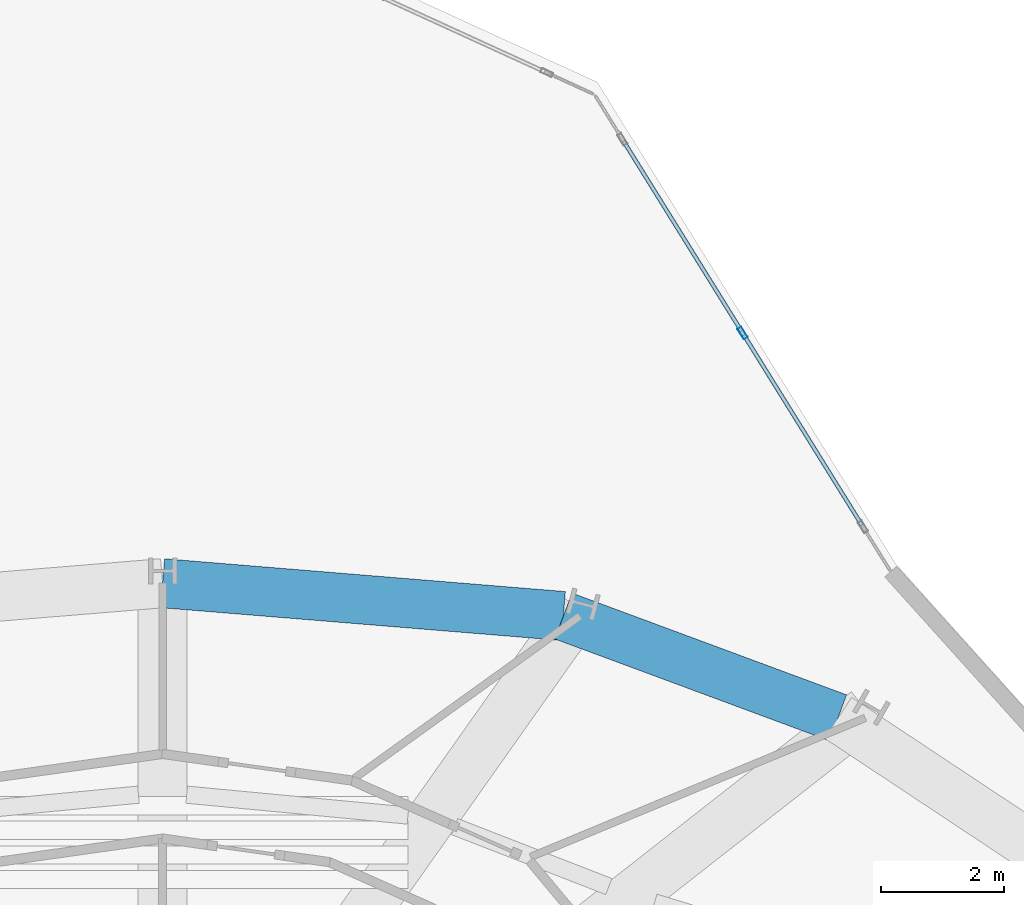
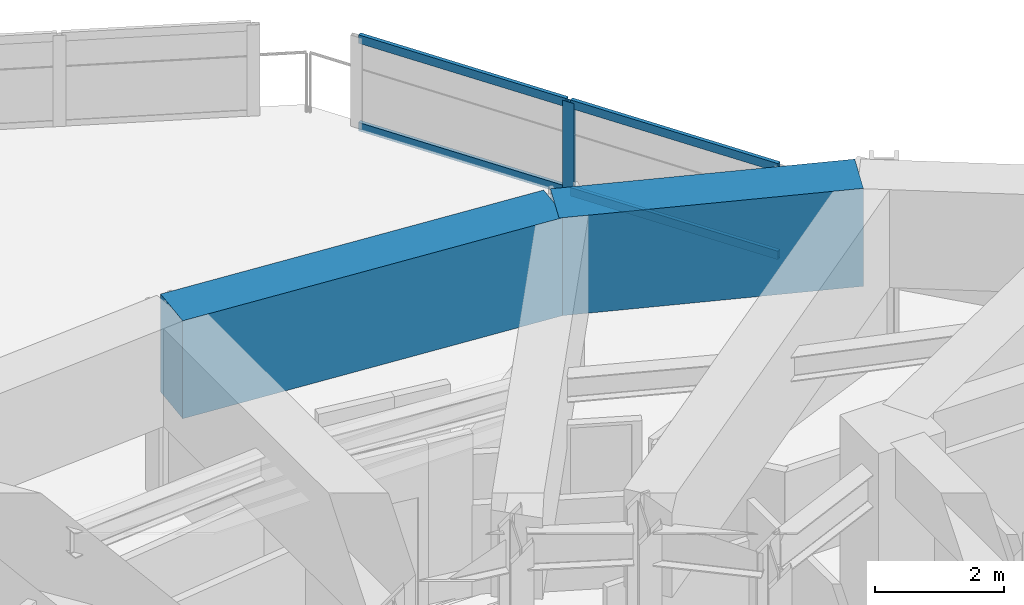
# One storey, part 10 of 21: 5 members, 2 beams, 1 element without a shape of its own.
"""IFC4 building model written with IfcOpenShell, lengths in metres."""

from ifc_helpers import new_model, si_unit, direction, frame, origin, origin_2d, place, context, subcontext, project, spatial, rectangle, hollow_rectangle, extrude, material, layer, layer_set, material_profile, profile_set, type_object, element, aggregate, save


model = new_model("IFC4")

# Units and contexts
model_context = context("Model", 3, precision=1e-05, world=origin(), true_north=direction((0.0, 1.0)))
body_context = subcontext(model_context, "Body", "Model", "MODEL_VIEW")
ifc_project = project(units=[si_unit("LENGTHUNIT", "METRE"), si_unit("AREAUNIT", "SQUARE_METRE"), si_unit("VOLUMEUNIT", "CUBIC_METRE"), si_unit("PLANEANGLEUNIT", "RADIAN"), si_unit("MASSUNIT", "GRAM", prefix="KILO")], contexts=[model_context])

# Site, building, storey
site_placement = place(None, origin())
site = spatial("IfcSite", under=ifc_project, at=site_placement, CompositionType="ELEMENT")
building_placement = place(site_placement, origin())
building = spatial("IfcBuilding", under=site, at=building_placement, Name="Solvane Sanctuary Tower", CompositionType="ELEMENT")
storey_placement = place(building_placement, frame((0.0, 0.0, 256.800048828125)))
storey = spatial("IfcBuildingStorey", under=building, at=storey_placement, Name="L78", CompositionType="ELEMENT", Elevation=256.800048828125)

# Beams
ifc_material_1 = material(Name="Concrete C70/85", Category="concrete")
ifc_material_profile_1 = material_profile(ifc_material_1, rectangle(XDim=0.800048828125, YDim=1.85009765625, at=origin_2d()), Name="RC800X1850")
ifc_profile_set_1 = profile_set([ifc_material_profile_1], Name="Concrete C70/85")
beam_type = type_object("IfcBeamType", Name="Beam B-XFER-BLK RC800X1850", PredefinedType="BEAM", material=ifc_profile_set_1)
beam_1_placement = place(storey_placement, frame((32.0, 38.47998046875, 2.675048828125), z_axis=(0.996668695985, -0.081556792744, 0.0), x_axis=(0.081556792744, 0.996668695985, 0.0)))
element("IfcBeam", 1, at=beam_1_placement, inside=storey, type_object=beam_type, Name="L78 Perimeter Step Transfer Ring NTC04-NTC03", PredefinedType="BEAM", context=body_context, shape_type="SweptSolid", body=[
    extrude(rectangle(XDim=0.800048828125, YDim=1.85009765625, at=origin_2d()), origin(), (0.0, 0.0, 1.0), 6.5556640625),
])
beam_2_placement = place(storey_placement, frame((38.533935546875, 37.9453125, 2.675048828125), z_axis=(0.937660553204, -0.347552423335, 0.0), x_axis=(0.347552423335, 0.937660553204, 0.0)))
element("IfcBeam", 2, at=beam_2_placement, inside=storey, type_object=beam_type, Name="L78 Perimeter Step Transfer Ring NTC03-NTC02", PredefinedType="BEAM", context=body_context, shape_type="SweptSolid", body=[
    extrude(rectangle(XDim=0.800048828125, YDim=1.85009765625, at=origin_2d()), origin(), (0.0, 0.0, 1.0), 4.776123046875),
])

# Curtain wall, members
ifc_material_2 = material(Name="Anodised Aluminium 6063-T6", Category="aluminium")
ifc_layer = layer(ifc_material_2, 0.18994140625, Name="Anodised Aluminium 6063-T6")
ifc_layer_set = layer_set([ifc_layer], Name="Anodised Aluminium 6063-T6")
curtain_wall_type = type_object("IfcCurtainWallType", Name="Curtain Wall CW-OPER", PredefinedType="NOTDEFINED", material=ifc_layer_set)
curtain_wall_placement = place(storey_placement, origin())
curtain_wall = element("IfcCurtainWall", 3, at=curtain_wall_placement, inside=storey, type_object=curtain_wall_type, Name="L78 CW-OPER Facade Run 04", PredefinedType="NOTDEFINED")
ifc_material_profile_2 = material_profile(ifc_material_2, hollow_rectangle(XDim=0.074951171875, YDim=0.199951171875, WallThickness=0.00390625, at=origin_2d()), Name="ALU200X75X4")
ifc_profile_set_2 = profile_set([ifc_material_profile_2], Name="Anodised Aluminium 6063-T6")
member_type_1 = type_object("IfcMemberType", Name="Member M-CW-MUL-1 ALU200X75X4", PredefinedType="MULLION", material=ifc_profile_set_2)
member_1_placement = place(storey_placement, frame((41.45654296875, 42.558349609375, 0.0), z_axis=(0.0, 0.0, 1.0), x_axis=(-0.849622273102, -0.527391688453, 0.0)))
member_1 = element("IfcMember", 4, at=member_1_placement, type_object=member_type_1, Name="CW-OPER mullion 2", PredefinedType="MULLION", context=body_context, shape_type="SweptSolid", body=[
    extrude(hollow_rectangle(XDim=0.074951171875, YDim=0.199951171875, WallThickness=0.00390625, at=origin_2d()), origin(), (0.0, 0.0, 1.0), 1.719970703125),
])
ifc_material_profile_3 = material_profile(ifc_material_2, hollow_rectangle(XDim=0.06494140625, YDim=0.159912109375, WallThickness=0.00341796875, at=origin_2d()), Name="ALU160X65X3.5")
ifc_profile_set_3 = profile_set([ifc_material_profile_3], Name="Anodised Aluminium 6063-T6")
member_type_2 = type_object("IfcMemberType", Name="Member M-CW-TRN-1 ALU160X65X3.5", PredefinedType="USERDEFINED", material=ifc_profile_set_3)
member_2_placement = place(storey_placement, frame((43.39794921875, 39.430419921875, 0.032470703125), z_axis=(-0.527364529612, 0.849639130989, 0.0), x_axis=(-0.849639130989, -0.527364529612, 0.0)))
member_2 = element("IfcMember", 5, at=member_2_placement, type_object=member_type_2, Name="CW-OPER transom 1.1", ObjectType="TRANSOM", PredefinedType="USERDEFINED", context=body_context, shape_type="SweptSolid", body=[
    extrude(hollow_rectangle(XDim=0.06494140625, YDim=0.159912109375, WallThickness=0.00341796875, at=origin_2d()), origin(), (0.0, 0.0, 1.0), 3.643798828125),
])
member_3_placement = place(storey_placement, frame((43.39794921875, 39.430419921875, 1.6875), z_axis=(-0.527364529612, 0.849639130989, 0.0), x_axis=(-0.849639130989, -0.527364529612, 0.0)))
member_3 = element("IfcMember", 6, at=member_3_placement, type_object=member_type_2, Name="CW-OPER transom 1.2", ObjectType="TRANSOM", PredefinedType="USERDEFINED", context=body_context, shape_type="SweptSolid", body=[
    extrude(hollow_rectangle(XDim=0.06494140625, YDim=0.159912109375, WallThickness=0.00341796875, at=origin_2d()), origin(), (0.0, 0.0, 1.0), 3.643798828125),
])
member_4_placement = place(storey_placement, frame((41.436767578125, 42.590087890625, 0.032470703125), z_axis=(-0.527364529612, 0.849639130989, 0.0), x_axis=(-0.849639130989, -0.527364529612, 0.0)))
member_4 = element("IfcMember", 7, at=member_4_placement, type_object=member_type_2, Name="CW-OPER transom 2.1", ObjectType="TRANSOM", PredefinedType="USERDEFINED", context=body_context, shape_type="SweptSolid", body=[
    extrude(hollow_rectangle(XDim=0.06494140625, YDim=0.159912109375, WallThickness=0.00341796875, at=origin_2d()), origin(), (0.0, 0.0, 1.0), 3.643798828125),
])
member_5_placement = place(storey_placement, frame((41.436767578125, 42.590087890625, 1.6875), z_axis=(-0.527364529612, 0.849639130989, 0.0), x_axis=(-0.849639130989, -0.527364529612, 0.0)))
member_5 = element("IfcMember", 8, at=member_5_placement, type_object=member_type_2, Name="CW-OPER transom 2.2", ObjectType="TRANSOM", PredefinedType="USERDEFINED", context=body_context, shape_type="SweptSolid", body=[
    extrude(hollow_rectangle(XDim=0.06494140625, YDim=0.159912109375, WallThickness=0.00341796875, at=origin_2d()), origin(), (0.0, 0.0, 1.0), 3.643798828125),
])
aggregate(curtain_wall, [member_1, member_2, member_3, member_4, member_5])

save(model, "model.ifc")
